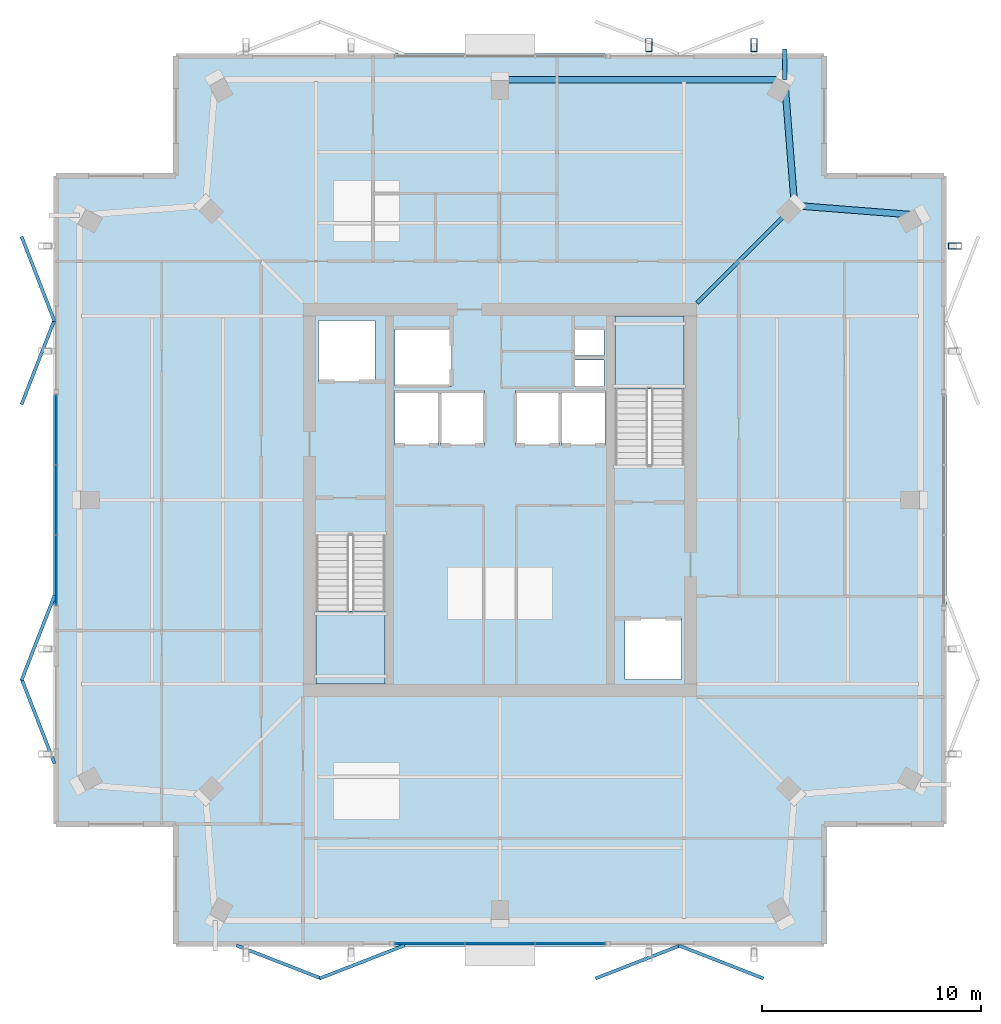
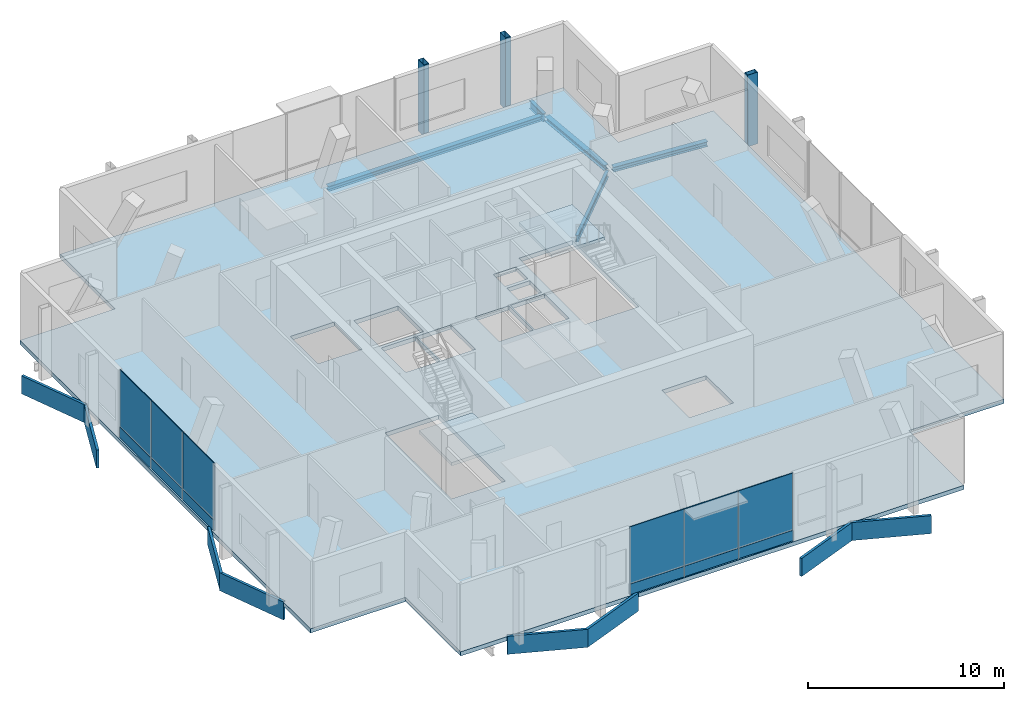
# One storey, part 10 of 16: 20 plates, 5 beams, 3 members, 3 slabs, 4 elements without a shape of their own.
"""IFC4 building model written with IfcOpenShell, lengths in metres."""

from ifc_helpers import new_model, si_unit, direction, frame, origin, origin_2d, place, context, subcontext, project, spatial, polyline, rectangle, hollow_rectangle, i_section, outline, extrude, material, layer, layer_set, material_profile, profile_set, type_object, element, aggregate, save


model = new_model("IFC4")

# Units and contexts
model_context = context("Model", 3, precision=1e-05, world=origin(), true_north=direction((0.0, 1.0)))
body_context = subcontext(model_context, "Body", "Model", "MODEL_VIEW")
ifc_project = project(units=[si_unit("LENGTHUNIT", "METRE"), si_unit("AREAUNIT", "SQUARE_METRE"), si_unit("VOLUMEUNIT", "CUBIC_METRE"), si_unit("PLANEANGLEUNIT", "RADIAN"), si_unit("MASSUNIT", "GRAM", prefix="KILO")], contexts=[model_context])

# Site, building, storey
site_placement = place(None, origin())
site = spatial("IfcSite", under=ifc_project, at=site_placement, CompositionType="ELEMENT")
building_placement = place(site_placement, origin())
building = spatial("IfcBuilding", under=site, at=building_placement, Name="Belovzor Exchange Tower", CompositionType="ELEMENT")
storey_placement = place(building_placement, frame((0.0, 0.0, 364.5)))
storey = spatial("IfcBuildingStorey", under=building, at=storey_placement, Name="L91", CompositionType="ELEMENT", Elevation=364.5)

# Beam
ifc_material_1 = material(Name="Steel S355", Category="steel")
ifc_material_profile_1 = material_profile(ifc_material_1, i_section(OverallWidth=0.199951171875, OverallDepth=0.5, WebThickness=0.01025390625, FlangeThickness=0.01611328125, at=origin_2d()))
ifc_profile_set_1 = profile_set([ifc_material_profile_1], Name="Steel S355")
beam_type_1 = type_object("IfcBeamType", Name="Planted Balcony Cantilever Beam IPE 500", PredefinedType="BEAM", material=ifc_profile_set_1)
beam_1_placement = place(storey_placement, frame((41.800048828125, 48.0, -0.510009765625), z_axis=(0.0, 1.0, 0.0), x_axis=(-1.0, 0.0, 0.0)))
element("IfcBeam", 1, at=beam_1_placement, inside=storey, type_object=beam_type_1, Name="BC-500 Planted Balcony Cantilever Beam IPE 500", PredefinedType="BEAM", context=body_context, shape_type="SweptSolid", body=[
    extrude(i_section(OverallWidth=0.199951171875, OverallDepth=0.5, WebThickness=0.01025390625, FlangeThickness=0.01611328125, at=origin_2d()), origin(), (0.0, 0.0, 1.0), 1.39990234375),
])

# Members
ifc_material_2 = material(Name="Extruded Architectural Terracotta on Steel S355 Carrier", Category="masonry")
ifc_material_profile_2 = material_profile(ifc_material_2, hollow_rectangle(XDim=0.300048828125, YDim=0.60009765625, WallThickness=0.01611328125, at=origin_2d()))
ifc_profile_set_2 = profile_set([ifc_material_profile_2], Name="Extruded Architectural Terracotta on Steel S355 Carrier")
member_type = type_object("IfcMemberType", Name="Upper Crown Terracotta Fin Assembly 550", PredefinedType="USERDEFINED", material=ifc_profile_set_2)
for number, where, z_axis, x_axis, name in (
    (2, (35.60009765625, 49.574951171875, -0.260009765625), (0.0, 0.0, 1.0), (1.0, 0.0, 0.0), "FIN-TC055 Terracotta Facade Fin L91 N3"),
    (3, (40.39990234375, 49.574951171875, -0.260009765625), (0.0, 0.0, 1.0), (1.0, 0.0, 0.0), "FIN-TC055 Terracotta Facade Fin L91 N4"),
    (4, (49.574951171875, 40.39990234375, -0.260009765625), (0.0, 0.0, 1.0), (0.0, 1.0, 0.0), "FIN-TC055 Terracotta Facade Fin L91 E4"),
):
    element("IfcMember", number, at=place(storey_placement, frame(where, z_axis=z_axis, x_axis=x_axis)), inside=storey, type_object=member_type, Name=name, ObjectType="FIN", PredefinedType="USERDEFINED", context=body_context, shape_type="SweptSolid", body=[
        extrude(hollow_rectangle(XDim=0.300048828125, YDim=0.60009765625, WallThickness=0.01611328125, at=origin_2d()), origin(), (0.0, 0.0, 1.0), 4.4599609375),
    ])

# Beams
ifc_material_3 = material(Name="Steel S355", Category="steel")
ifc_material_profile_3 = material_profile(ifc_material_3, i_section(OverallWidth=0.179931640625, OverallDepth=0.39990234375, WebThickness=0.008544921875, FlangeThickness=0.013427734375, at=origin_2d()))
ifc_profile_set_3 = profile_set([ifc_material_profile_3], Name="Steel S355")
beam_type_2 = type_object("IfcBeamType", Name="Zone 5-6 Radial Composite Floor Beam IPE 400", PredefinedType="BEAM", material=ifc_profile_set_3)
beam_2_placement = place(storey_placement, frame((37.800048828125, 37.800048828125, -0.4599609375), z_axis=(0.707106781187, 0.707106781187, 0.0), x_axis=(-0.707106781187, 0.707106781187, 0.0)))
element("IfcBeam", 5, at=beam_2_placement, inside=storey, type_object=beam_type_2, Name="FB-400 Zone 5-6 Radial Composite Floor Beam IPE 400", PredefinedType="BEAM", context=body_context, shape_type="SweptSolid", body=[
    extrude(i_section(OverallWidth=0.179931640625, OverallDepth=0.39990234375, WebThickness=0.008544921875, FlangeThickness=0.013427734375, at=origin_2d()), origin(), (0.0, 0.0, 1.0), 6.010498046875),
])
ifc_material_4 = material(Name="Steel S355", Category="steel")
ifc_material_profile_4 = material_profile(ifc_material_4, i_section(OverallWidth=0.300048828125, OverallDepth=0.300048828125, WebThickness=0.008544921875, FlangeThickness=0.013916015625, at=origin_2d()))
ifc_profile_set_4 = profile_set([ifc_material_profile_4], Name="Steel S355")
beam_type_3 = type_object("IfcBeamType", Name="Zone 6 Primary Girder HEA 300", PredefinedType="BEAM", material=ifc_profile_set_4)
for number, where, z_axis, x_axis, name in (
    (6, (47.781005859375, 41.81689453125, -0.409912109375), (-0.996947335625, 0.078076949164, 0.0), (-0.078076949164, -0.996947335625, 0.0), "FG-Z6 Zone 6 Primary Girder HEA 300"),
    (7, (42.23291015625, 42.468994140625, -0.409912109375), (-0.078076949164, 0.996947335625, 0.0), (-0.996947335625, -0.078076949164, 0.0), "FG-Z6 Zone 6 Primary Girder HEA 300"),
):
    element("IfcBeam", number, at=place(storey_placement, frame(where, z_axis=z_axis, x_axis=x_axis)), inside=storey, type_object=beam_type_3, Name=name, PredefinedType="BEAM", context=body_context, shape_type="SweptSolid", body=[
        extrude(i_section(OverallWidth=0.300048828125, OverallDepth=0.300048828125, WebThickness=0.008544921875, FlangeThickness=0.013916015625, at=origin_2d()), origin(), (0.0, 0.0, 1.0), 5.328369140625),
    ])
beam_3_placement = place(storey_placement, frame((41.580078125, 48.0, -0.409912109375), z_axis=(-1.0, 0.0, 0.0), x_axis=(0.0, -1.0, 0.0)))
element("IfcBeam", 8, at=beam_3_placement, inside=storey, type_object=beam_type_3, Name="FG-Z6 Zone 6 Primary Girder HEA 300", PredefinedType="BEAM", context=body_context, shape_type="SweptSolid", body=[
    extrude(i_section(OverallWidth=0.300048828125, OverallDepth=0.300048828125, WebThickness=0.008544921875, FlangeThickness=0.013916015625, at=origin_2d()), origin(), (0.0, 0.0, 1.0), 12.56005859375),
])

# Slab
ifc_material_5 = material(Name="Concrete C40/50", Category="concrete")
ifc_layer_1 = layer(ifc_material_5, 0.260009765625)
ifc_layer_set_1 = layer_set([ifc_layer_1], Name="Concrete C40/50")
slab_type_1 = type_object("IfcSlabType", Name="Composite Apex Gallery Floor Slab 260", PredefinedType="FLOOR", material=ifc_layer_set_1)
slab_1_placement = place(storey_placement, frame((0.0, 0.0, -0.260009765625)))
element("IfcSlab", 9, at=slab_1_placement, inside=storey, type_object=slab_type_1, Name="SL-F260 Structural Slab L91", PredefinedType="FLOOR", context=body_context, shape_type="SweptSolid", body=[
    extrude(outline(polyline([(14.0, 8.39990234375), (43.60009765625, 8.39990234375), (43.60009765625, 14.0), (49.199951171875, 14.0), (49.199951171875, 43.60009765625), (43.60009765625, 43.60009765625), (43.60009765625, 49.199951171875), (14.0, 49.199951171875), (14.0, 43.60009765625), (8.39990234375, 43.60009765625), (8.39990234375, 14.0), (14.0, 14.0), (14.0, 8.39990234375)]), holes=[polyline([(20.39990234375, 27.175048828125), (20.39990234375, 20.39990234375), (23.550048828125, 20.39990234375), (23.550048828125, 27.175048828125), (20.39990234375, 27.175048828125)]), polyline([(37.199951171875, 30.425048828125), (37.199951171875, 37.199951171875), (34.050048828125, 37.199951171875), (34.050048828125, 30.425048828125), (37.199951171875, 30.425048828125)]), polyline([(20.5, 34.199951171875), (23.10009765625, 34.199951171875), (23.10009765625, 37.0), (20.5, 37.0), (20.5, 34.199951171875)]), polyline([(34.5, 20.60009765625), (37.10009765625, 20.60009765625), (37.10009765625, 23.39990234375), (34.5, 23.39990234375), (34.5, 20.60009765625)]), polyline([(24.0, 34.0), (26.60009765625, 34.0), (26.60009765625, 36.60009765625), (24.0, 36.60009765625), (24.0, 34.0)]), polyline([(24.0, 31.300048828125), (26.0, 31.300048828125), (26.0, 33.800048828125), (24.0, 33.800048828125), (24.0, 31.300048828125)]), polyline([(26.10009765625, 31.300048828125), (28.10009765625, 31.300048828125), (28.10009765625, 33.800048828125), (26.10009765625, 33.800048828125), (26.10009765625, 31.300048828125)]), polyline([(29.5, 31.300048828125), (31.5, 31.300048828125), (31.5, 33.800048828125), (29.5, 33.800048828125), (29.5, 31.300048828125)]), polyline([(31.60009765625, 31.300048828125), (33.60009765625, 31.300048828125), (33.60009765625, 33.800048828125), (31.60009765625, 33.800048828125), (31.60009765625, 31.300048828125)]), polyline([(32.199951171875, 34.0), (33.550048828125, 34.0), (33.550048828125, 35.199951171875), (32.199951171875, 35.199951171875), (32.199951171875, 34.0)]), polyline([(32.199951171875, 35.39990234375), (33.550048828125, 35.39990234375), (33.550048828125, 36.60009765625), (32.199951171875, 36.60009765625), (32.199951171875, 35.39990234375)])]), origin(), (0.0, 0.0, 1.0), 0.260009765625),
])

# Curtain wall, plates
ifc_material_6 = material(Name="Anodised Aluminium Framing", Category="aluminium")
ifc_layer_2 = layer(ifc_material_6, 0.169921875)
ifc_layer_set_2 = layer_set([ifc_layer_2], Name="Anodised Aluminium Framing")
curtain_wall_type = type_object("IfcCurtainWallType", Name="Stepped Crown Faceted Lantern Curtain Wall", PredefinedType="NOTDEFINED", material=ifc_layer_set_2)
curtain_wall_1_placement = place(storey_placement, origin())
curtain_wall_1 = element("IfcCurtainWall", 10, at=curtain_wall_1_placement, inside=storey, type_object=curtain_wall_type, Name="CW6 Stepped Crown Faceted Lantern Curtain Wall L91", PredefinedType="NOTDEFINED")
ifc_material_7 = material(Name="Solar-Control Triple Glazing", Category="glass")
ifc_layer_3 = layer(ifc_material_7, 0.0439453125)
ifc_layer_set_3 = layer_set([ifc_layer_3], Name="Solar-Control Triple Glazing")
plate_type_1 = type_object("IfcPlateType", Name="Insulated Solar Glazing Curtain Panel 44", PredefinedType="CURTAIN_PANEL", material=ifc_layer_set_3)
plate_1_placement = place(storey_placement, frame((32.0, 8.530029296875, 0.65185546875), z_axis=(0.0, 0.0, 1.0), x_axis=(-1.0, 0.0, 0.0)))
plate_1 = element("IfcPlate", 11, at=plate_1_placement, type_object=plate_type_1, Name="GLZ-44 Glazed Curtain Panel 1", PredefinedType="CURTAIN_PANEL", context=body_context, shape_type="SweptSolid", body=[
    extrude(rectangle(XDim=3.18408203125, YDim=0.0439453125, at=origin_2d()), origin(), (0.0, 0.0, 1.0), 3.548095703125),
])
plate_2_placement = place(storey_placement, frame((28.800048828125, 8.530029296875, 0.65185546875), z_axis=(0.0, 0.0, 1.0), x_axis=(-1.0, 0.0, 0.0)))
plate_2 = element("IfcPlate", 12, at=plate_2_placement, type_object=plate_type_1, Name="GLZ-44 Glazed Curtain Panel 2", PredefinedType="CURTAIN_PANEL", context=body_context, shape_type="SweptSolid", body=[
    extrude(rectangle(XDim=3.18408203125, YDim=0.0439453125, at=origin_2d()), origin(), (0.0, 0.0, 1.0), 3.548095703125),
])
plate_3_placement = place(storey_placement, frame((25.60009765625, 8.530029296875, 0.65185546875), z_axis=(0.0, 0.0, 1.0), x_axis=(-1.0, 0.0, 0.0)))
plate_3 = element("IfcPlate", 13, at=plate_3_placement, type_object=plate_type_1, Name="GLZ-44 Glazed Curtain Panel 3", PredefinedType="CURTAIN_PANEL", context=body_context, shape_type="SweptSolid", body=[
    extrude(rectangle(XDim=3.18408203125, YDim=0.0439453125, at=origin_2d()), origin(), (0.0, 0.0, 1.0), 3.548095703125),
])

curtain_wall_2_placement = place(storey_placement, origin())
curtain_wall_2 = element("IfcCurtainWall", 14, at=curtain_wall_2_placement, inside=storey, type_object=curtain_wall_type, Name="CW6 Stepped Crown Faceted Lantern Curtain Wall L91", PredefinedType="NOTDEFINED")
plate_4_placement = place(storey_placement, frame((8.530029296875, 25.60009765625, 0.65185546875), z_axis=(0.0, 0.0, 1.0), x_axis=(0.0, 1.0, 0.0)))
plate_4 = element("IfcPlate", 15, at=plate_4_placement, type_object=plate_type_1, Name="GLZ-44 Glazed Curtain Panel 1", PredefinedType="CURTAIN_PANEL", context=body_context, shape_type="SweptSolid", body=[
    extrude(rectangle(XDim=3.18408203125, YDim=0.0439453125, at=origin_2d()), origin(), (0.0, 0.0, 1.0), 3.548095703125),
])
plate_5_placement = place(storey_placement, frame((8.530029296875, 28.800048828125, 0.65185546875), z_axis=(0.0, 0.0, 1.0), x_axis=(0.0, 1.0, 0.0)))
plate_5 = element("IfcPlate", 16, at=plate_5_placement, type_object=plate_type_1, Name="GLZ-44 Glazed Curtain Panel 2", PredefinedType="CURTAIN_PANEL", context=body_context, shape_type="SweptSolid", body=[
    extrude(rectangle(XDim=3.18408203125, YDim=0.0439453125, at=origin_2d()), origin(), (0.0, 0.0, 1.0), 3.548095703125),
])
plate_6_placement = place(storey_placement, frame((8.530029296875, 32.0, 0.65185546875), z_axis=(0.0, 0.0, 1.0), x_axis=(0.0, 1.0, 0.0)))
plate_6 = element("IfcPlate", 17, at=plate_6_placement, type_object=plate_type_1, Name="GLZ-44 Glazed Curtain Panel 3", PredefinedType="CURTAIN_PANEL", context=body_context, shape_type="SweptSolid", body=[
    extrude(rectangle(XDim=3.18408203125, YDim=0.0439453125, at=origin_2d()), origin(), (0.0, 0.0, 1.0), 3.548095703125),
])

# Stair, slab
ifc_material_8 = material(Name="Concrete C40/50", Category="concrete")
stair_type = type_object("IfcStairType", Name="Reinforced Concrete Dogleg Escape Stair 1350", PredefinedType="HALF_TURN_STAIR", material=ifc_material_8)
stair_1_placement = place(storey_placement, origin())
stair_1 = element("IfcStair", 18, at=stair_1_placement, inside=storey, type_object=stair_type, Name="L91 ST-1", PredefinedType="HALF_TURN_STAIR")
ifc_material_9 = material(Name="Concrete C40/50", Category="concrete")
ifc_layer_4 = layer(ifc_material_9, 0.199951171875)
ifc_layer_set_4 = layer_set([ifc_layer_4], Name="Concrete C40/50")
slab_type_2 = type_object("IfcSlabType", Name="Reinforced Concrete Stair Half-Landing Slab 200", PredefinedType="LANDING", material=ifc_layer_set_4)
slab_2_placement = place(storey_placement, frame((0.0, 0.0, 2.050048828125)))
slab_2 = element("IfcSlab", 19, at=slab_2_placement, type_object=slab_type_2, Name="ST-1 landing 1", PredefinedType="LANDING", context=body_context, shape_type="SweptSolid", body=[
    extrude(outline(polyline([(20.39990234375, 23.719970703125), (20.39990234375, 20.39990234375), (23.550048828125, 20.39990234375), (23.550048828125, 23.719970703125), (20.39990234375, 23.719970703125)])), origin(), (0.0, 0.0, 1.0), 0.199951171875),
])
aggregate(stair_1, [slab_2])

stair_2_placement = place(storey_placement, origin())
stair_2 = element("IfcStair", 20, at=stair_2_placement, inside=storey, type_object=stair_type, Name="L91 ST-2", PredefinedType="HALF_TURN_STAIR")
slab_3_placement = place(storey_placement, frame((0.0, 0.0, 2.050048828125)))
slab_3 = element("IfcSlab", 21, at=slab_3_placement, type_object=slab_type_2, Name="ST-2 landing 1", PredefinedType="LANDING", context=body_context, shape_type="SweptSolid", body=[
    extrude(outline(polyline([(37.199951171875, 33.8798828125), (37.199951171875, 37.199951171875), (34.050048828125, 37.199951171875), (34.050048828125, 33.8798828125), (37.199951171875, 33.8798828125)])), origin(), (0.0, 0.0, 1.0), 0.199951171875),
])
aggregate(stair_2, [slab_3])

# Plate
ifc_material_10 = material(Name="Extruded Architectural Terracotta", Category="masonry")
ifc_layer_5 = layer(ifc_material_10, 0.090087890625)
ifc_layer_set_5 = layer_set([ifc_layer_5], Name="Extruded Architectural Terracotta")
plate_type_2 = type_object("IfcPlateType", Name="Terracotta Shadow-Box Spandrel Panel 90", PredefinedType="CURTAIN_PANEL", material=ifc_layer_set_5)
plate_7_placement = place(storey_placement, frame((32.0, 8.530029296875, 0.0), z_axis=(0.0, 0.0, 1.0), x_axis=(-1.0, 0.0, 0.0)))
plate_7 = element("IfcPlate", 22, at=plate_7_placement, type_object=plate_type_2, Name="SPD-90 Spandrel Panel 1", PredefinedType="CURTAIN_PANEL", context=body_context, shape_type="SweptSolid", body=[
    extrude(rectangle(XDim=3.18408203125, YDim=0.090087890625, at=origin_2d()), origin(), (0.0, 0.0, 1.0), 0.64794921875),
])

plate_8_placement = place(storey_placement, frame((28.800048828125, 8.530029296875, 0.0), z_axis=(0.0, 0.0, 1.0), x_axis=(-1.0, 0.0, 0.0)))
plate_8 = element("IfcPlate", 23, at=plate_8_placement, type_object=plate_type_2, Name="SPD-90 Spandrel Panel 2", PredefinedType="CURTAIN_PANEL", context=body_context, shape_type="SweptSolid", body=[
    extrude(rectangle(XDim=3.18408203125, YDim=0.090087890625, at=origin_2d()), origin(), (0.0, 0.0, 1.0), 0.64794921875),
])

plate_9_placement = place(storey_placement, frame((25.60009765625, 8.530029296875, 0.0), z_axis=(0.0, 0.0, 1.0), x_axis=(-1.0, 0.0, 0.0)))
plate_9 = element("IfcPlate", 24, at=plate_9_placement, type_object=plate_type_2, Name="SPD-90 Spandrel Panel 3", PredefinedType="CURTAIN_PANEL", context=body_context, shape_type="SweptSolid", body=[
    extrude(rectangle(XDim=3.18408203125, YDim=0.090087890625, at=origin_2d()), origin(), (0.0, 0.0, 1.0), 0.64794921875),
])

aggregate(curtain_wall_1, [plate_7, plate_1, plate_8, plate_2, plate_9, plate_3])

plate_10_placement = place(storey_placement, frame((8.530029296875, 25.60009765625, 0.0), z_axis=(0.0, 0.0, 1.0), x_axis=(0.0, 1.0, 0.0)))
plate_10 = element("IfcPlate", 25, at=plate_10_placement, type_object=plate_type_2, Name="SPD-90 Spandrel Panel 1", PredefinedType="CURTAIN_PANEL", context=body_context, shape_type="SweptSolid", body=[
    extrude(rectangle(XDim=3.18408203125, YDim=0.090087890625, at=origin_2d()), origin(), (0.0, 0.0, 1.0), 0.64794921875),
])

plate_11_placement = place(storey_placement, frame((8.530029296875, 28.800048828125, 0.0), z_axis=(0.0, 0.0, 1.0), x_axis=(0.0, 1.0, 0.0)))
plate_11 = element("IfcPlate", 26, at=plate_11_placement, type_object=plate_type_2, Name="SPD-90 Spandrel Panel 2", PredefinedType="CURTAIN_PANEL", context=body_context, shape_type="SweptSolid", body=[
    extrude(rectangle(XDim=3.18408203125, YDim=0.090087890625, at=origin_2d()), origin(), (0.0, 0.0, 1.0), 0.64794921875),
])

plate_12_placement = place(storey_placement, frame((8.530029296875, 32.0, 0.0), z_axis=(0.0, 0.0, 1.0), x_axis=(0.0, 1.0, 0.0)))
plate_12 = element("IfcPlate", 27, at=plate_12_placement, type_object=plate_type_2, Name="SPD-90 Spandrel Panel 3", PredefinedType="CURTAIN_PANEL", context=body_context, shape_type="SweptSolid", body=[
    extrude(rectangle(XDim=3.18408203125, YDim=0.090087890625, at=origin_2d()), origin(), (0.0, 0.0, 1.0), 0.64794921875),
])

aggregate(curtain_wall_2, [plate_10, plate_4, plate_11, plate_5, plate_12, plate_6])

# Plates
ifc_material_11 = material(Name="Extruded Architectural Terracotta", Category="masonry")
ifc_layer_6 = layer(ifc_material_11, 0.14990234375)
ifc_layer_set_6 = layer_set([ifc_layer_6], Name="Extruded Architectural Terracotta")
plate_type_3 = type_object("IfcPlateType", Name="Upper-Crown Deep Folded Zigzag Terracotta Spandrel Louvre 150", PredefinedType="USERDEFINED", material=ifc_layer_set_6)
for number, where, z_axis, x_axis, name in (
    (28, (18.699951171875, 7.699951171875, -1.10498046875), (0.0, 0.0, 1.0), (0.931817969421, -0.362925986758, 0.0), "LVR-ZZ3 Zigzag Terracotta Spandrel Louvre L91 S1A"),
    (29, (22.5, 7.699951171875, -1.10498046875), (0.0, 0.0, 1.0), (0.931817969421, 0.362925986758, 0.0), "LVR-ZZ3 Zigzag Terracotta Spandrel Louvre L91 S1B"),
    (30, (7.699951171875, 18.699951171875, -1.10498046875), (0.0, 0.0, 1.0), (-0.362925986758, 0.931817969421, 0.0), "LVR-ZZ3 Zigzag Terracotta Spandrel Louvre L91 W1A"),
    (31, (7.699951171875, 22.5, -1.10498046875), (0.0, 0.0, 1.0), (0.362925986758, 0.931817969421, 0.0), "LVR-ZZ3 Zigzag Terracotta Spandrel Louvre L91 W1B"),
    (32, (35.10009765625, 7.699951171875, -1.10498046875), (0.0, 0.0, 1.0), (0.931817969421, 0.362925986758, 0.0), "LVR-ZZ3 Zigzag Terracotta Spandrel Louvre L91 S2A"),
    (33, (38.89990234375, 7.699951171875, -1.10498046875), (0.0, 0.0, 1.0), (0.931817969421, -0.362925986758, 0.0), "LVR-ZZ3 Zigzag Terracotta Spandrel Louvre L91 S2B"),
    (34, (7.699951171875, 35.10009765625, -1.10498046875), (0.0, 0.0, 1.0), (0.362925986758, 0.931817969421, 0.0), "LVR-ZZ3 Zigzag Terracotta Spandrel Louvre L91 W2A"),
    (35, (7.699951171875, 38.89990234375, -1.10498046875), (0.0, 0.0, 1.0), (-0.362925986758, 0.931817969421, 0.0), "LVR-ZZ3 Zigzag Terracotta Spandrel Louvre L91 W2B"),
):
    element("IfcPlate", number, at=place(storey_placement, frame(where, z_axis=z_axis, x_axis=x_axis)), inside=storey, type_object=plate_type_3, Name=name, ObjectType="SPANDREL_LOUVRE", PredefinedType="USERDEFINED", context=body_context, shape_type="SweptSolid", body=[
        extrude(rectangle(XDim=4.157958984375, YDim=0.14990234375, at=origin_2d()), origin(), (0.0, 0.0, 1.0), 1.1201171875),
    ])

save(model, "model.ifc")
